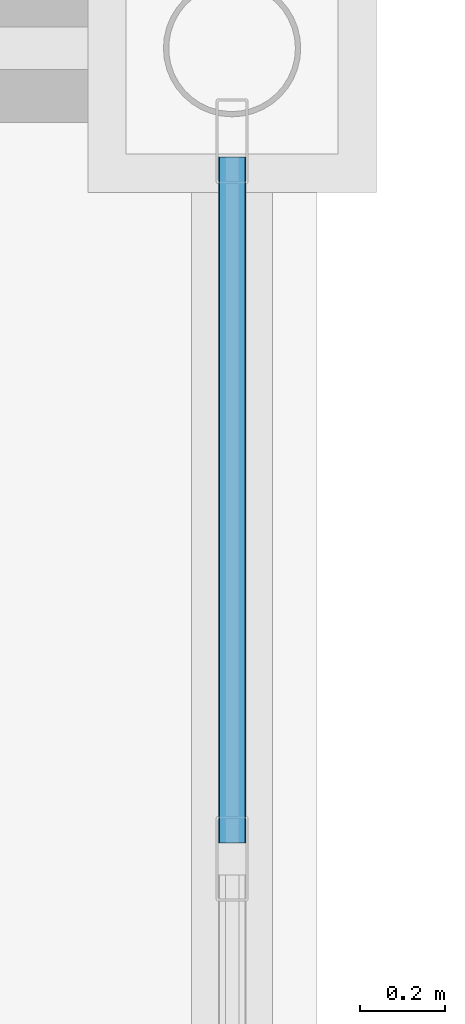
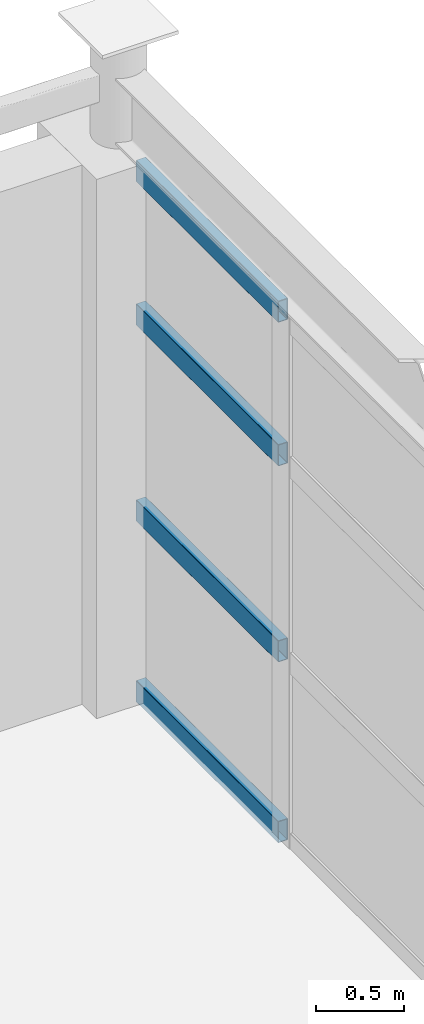
# One storey, part 107 of 137: 4 members, 1 element without a shape of its own.
"""IFC4 building model written with IfcOpenShell, lengths in metres."""

from ifc_helpers import new_model, si_unit, direction, frame, origin, origin_2d, place, context, subcontext, project, spatial, hollow_rectangle, extrude, material, layer, layer_set, material_profile, profile_set, type_object, element, aggregate, save


model = new_model("IFC4")

# Units and contexts
model_context = context("Model", 3, precision=1e-05, world=origin(), true_north=direction((0.0, 1.0)))
body_context = subcontext(model_context, "Body", "Model", "MODEL_VIEW")
ifc_project = project(units=[si_unit("LENGTHUNIT", "METRE"), si_unit("AREAUNIT", "SQUARE_METRE"), si_unit("VOLUMEUNIT", "CUBIC_METRE"), si_unit("PLANEANGLEUNIT", "RADIAN"), si_unit("MASSUNIT", "GRAM", prefix="KILO")], contexts=[model_context])

# Site, building, storey
site_placement = place(None, origin())
site = spatial("IfcSite", under=ifc_project, at=site_placement, CompositionType="ELEMENT")
building_placement = place(site_placement, origin())
building = spatial("IfcBuilding", under=site, at=building_placement, Name="Kemerveld Promenade Tramway Depot", CompositionType="ELEMENT")
storey_placement = place(building_placement, frame((0.0, 0.0, 5.39990234375)))
storey = spatial("IfcBuildingStorey", under=building, at=storey_placement, Name="L01", CompositionType="ELEMENT", Elevation=5.39990234375)

# Curtain wall, members
ifc_material_1 = material(Name="Bronze anodised aluminium and solar glass", Category="aluminium")
ifc_layer = layer(ifc_material_1, 0.199951171875)
ifc_layer_set = layer_set([ifc_layer], Name="CW-SYS-04")
curtain_wall_type = type_object("IfcCurtainWallType", Name="CW-SYS-04", PredefinedType="USERDEFINED", material=ifc_layer_set)
curtain_wall_placement = place(storey_placement, origin())
curtain_wall = element("IfcCurtainWall", 1, at=curtain_wall_placement, inside=storey, type_object=curtain_wall_type, Name="CW-L01-V3E-01", ObjectType="GLAZED_CURTAIN_WALL", PredefinedType="USERDEFINED")
ifc_material_2 = material(Name="Bronze anodised aluminium", Category="aluminium")
ifc_material_profile = material_profile(ifc_material_2, hollow_rectangle(XDim=0.06494140625, YDim=0.14990234375, WallThickness=0.00439453125, InnerFilletRadius=0.001953125, OuterFilletRadius=0.00439453125, at=origin_2d()), Name="CW-TRN-150x65")
ifc_profile_set = profile_set([ifc_material_profile], Name="Bronze anodised aluminium")
member_type = type_object("IfcMemberType", Name="CW-TRN-B", PredefinedType="USERDEFINED", material=ifc_profile_set)
member_1_placement = place(storey_placement, frame((158.39990234375, 78.943115234375, 0.03271484375), z_axis=(0.0, -1.0, 0.0), x_axis=(1.0, 0.0, 0.0)))
member_1 = element("IfcMember", 2, at=member_1_placement, type_object=member_type, Name="CW04 transom 1.1", ObjectType="TRANSOM", PredefinedType="USERDEFINED", context=body_context, shape_type="SweptSolid", body=[
    extrude(hollow_rectangle(XDim=0.06494140625, YDim=0.14990234375, WallThickness=0.00439453125, InnerFilletRadius=0.001953125, OuterFilletRadius=0.00439453125, at=origin_2d()), origin(), (0.0, 0.0, 1.0), 1.61669921875),
])
member_2_placement = place(storey_placement, frame((158.39990234375, 78.943115234375, 1.2890625), z_axis=(0.0, -1.0, 0.0), x_axis=(1.0, 0.0, 0.0)))
member_2 = element("IfcMember", 3, at=member_2_placement, type_object=member_type, Name="CW04 transom 1.2", ObjectType="TRANSOM", PredefinedType="USERDEFINED", context=body_context, shape_type="SweptSolid", body=[
    extrude(hollow_rectangle(XDim=0.06494140625, YDim=0.14990234375, WallThickness=0.00439453125, InnerFilletRadius=0.001953125, OuterFilletRadius=0.00439453125, at=origin_2d()), origin(), (0.0, 0.0, 1.0), 1.61669921875),
])
member_3_placement = place(storey_placement, frame((158.39990234375, 78.943115234375, 2.652099609375), z_axis=(0.0, -1.0, 0.0), x_axis=(1.0, 0.0, 0.0)))
member_3 = element("IfcMember", 4, at=member_3_placement, type_object=member_type, Name="CW04 transom 1.3", ObjectType="TRANSOM", PredefinedType="USERDEFINED", context=body_context, shape_type="SweptSolid", body=[
    extrude(hollow_rectangle(XDim=0.06494140625, YDim=0.14990234375, WallThickness=0.00439453125, InnerFilletRadius=0.001953125, OuterFilletRadius=0.00439453125, at=origin_2d()), origin(), (0.0, 0.0, 1.0), 1.61669921875),
])
member_4_placement = place(storey_placement, frame((158.39990234375, 78.943115234375, 3.65087890625), z_axis=(0.0, -1.0, 0.0), x_axis=(1.0, 0.0, 0.0)))
member_4 = element("IfcMember", 5, at=member_4_placement, type_object=member_type, Name="CW04 transom 1.4", ObjectType="TRANSOM", PredefinedType="USERDEFINED", context=body_context, shape_type="SweptSolid", body=[
    extrude(hollow_rectangle(XDim=0.06494140625, YDim=0.14990234375, WallThickness=0.00439453125, InnerFilletRadius=0.001953125, OuterFilletRadius=0.00439453125, at=origin_2d()), origin(), (0.0, 0.0, 1.0), 1.61669921875),
])
aggregate(curtain_wall, [member_1, member_2, member_3, member_4])

save(model, "model.ifc")
